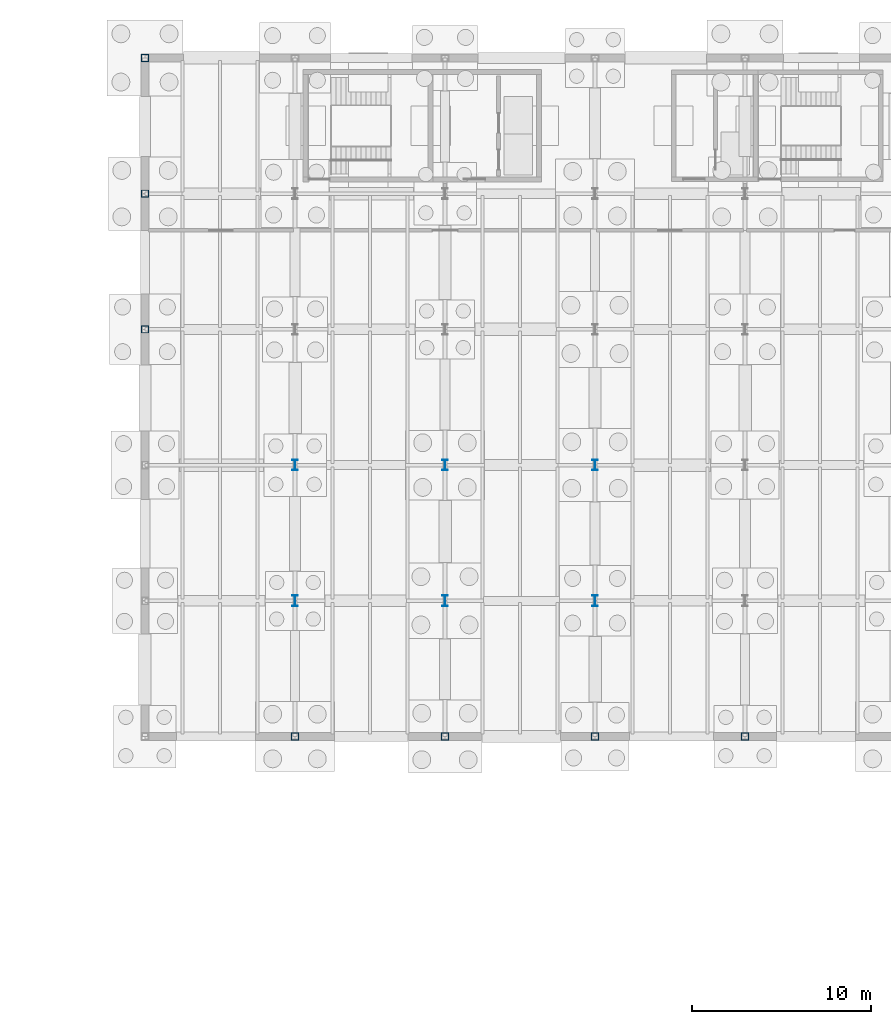
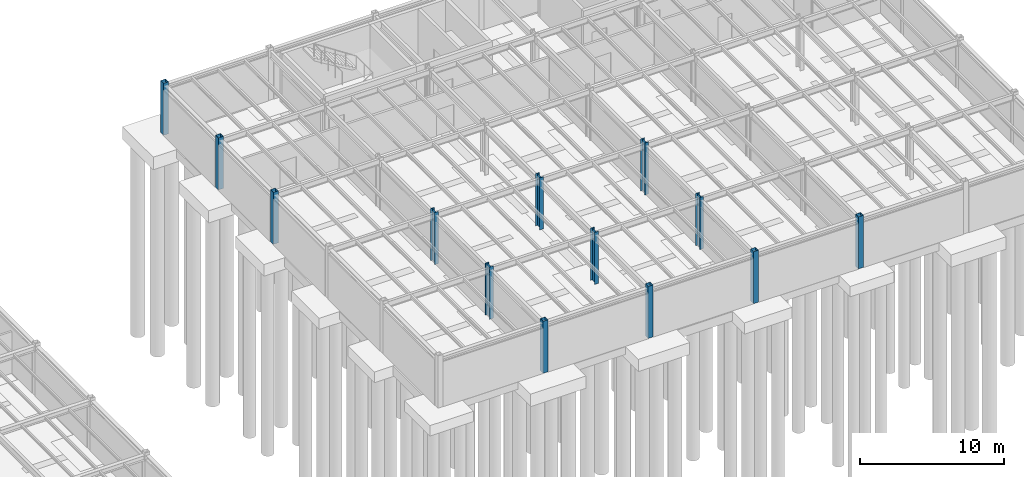
# One storey, part 14 of 33: 13 columns.
"""IFC4 building model written with IfcOpenShell, lengths in metres."""

from ifc_helpers import new_model, si_unit, direction, frame, origin, origin_2d, place, context, subcontext, project, spatial, hollow_rectangle, i_section, extrude, material, material_profile, profile_set, type_object, element, save


model = new_model("IFC4")

# Units and contexts
model_context = context("Model", 3, precision=1e-05, world=origin(), true_north=direction((0.0, 1.0)))
body_context = subcontext(model_context, "Body", "Model", "MODEL_VIEW")
ifc_project = project(units=[si_unit("LENGTHUNIT", "METRE"), si_unit("AREAUNIT", "SQUARE_METRE"), si_unit("VOLUMEUNIT", "CUBIC_METRE"), si_unit("PLANEANGLEUNIT", "RADIAN"), si_unit("MASSUNIT", "GRAM", prefix="KILO")], contexts=[model_context])

# Site, building, storey
site_placement = place(None, origin())
site = spatial("IfcSite", under=ifc_project, at=site_placement, CompositionType="ELEMENT")
building_placement = place(site_placement, origin())
building = spatial("IfcBuilding", under=site, at=building_placement, Name="Montecoro Central Library", CompositionType="ELEMENT")
storey_placement = place(building_placement, frame((0.0, 0.0, -4.419921875)))
storey = spatial("IfcBuildingStorey", under=building, at=storey_placement, Name="B1", CompositionType="ELEMENT", Elevation=-4.419921875)

# Columns
ifc_material = material(Name="Steel S355J2", Category="steel")
ifc_material_profile_1 = material_profile(ifc_material, i_section(OverallWidth=0.300048828125, OverallDepth=0.60009765625, WebThickness=0.015380859375, FlangeThickness=0.030029296875, at=origin_2d()), Name="HEB 600")
ifc_profile_set_1 = profile_set([ifc_material_profile_1], Name="Steel S355J2")
column_type_1 = type_object("IfcColumnType", Name="COL-HEB600", PredefinedType="COLUMN", material=ifc_profile_set_1)
for number, where, z_axis, x_axis, name in (
    (1, (74.800048828125, 88.60009765625, 0.0), (0.0, 0.0, 1.0), (1.0, 0.0, 0.0), "V2-B1-COL-10-M"),
    (2, (74.800048828125, 96.199951171875, 0.0), (0.0, 0.0, 1.0), (1.0, 0.0, 0.0), "V2-B1-COL-10-N"),
    (3, (83.199951171875, 88.60009765625, 0.0), (0.0, 0.0, 1.0), (1.0, 0.0, 0.0), "V2-B1-COL-11-M"),
    (4, (83.199951171875, 96.199951171875, 0.0), (0.0, 0.0, 1.0), (1.0, 0.0, 0.0), "V2-B1-COL-11-N"),
    (5, (91.60009765625, 88.60009765625, 0.0), (0.0, 0.0, 1.0), (1.0, 0.0, 0.0), "V2-B1-COL-12-M"),
    (6, (91.60009765625, 96.199951171875, 0.0), (0.0, 0.0, 1.0), (1.0, 0.0, 0.0), "V2-B1-COL-12-N"),
):
    element("IfcColumn", number, at=place(storey_placement, frame(where, z_axis=z_axis, x_axis=x_axis)), inside=storey, type_object=column_type_1, Name=name, PredefinedType="COLUMN", context=body_context, shape_type="SweptSolid", body=[
        extrude(i_section(OverallWidth=0.300048828125, OverallDepth=0.60009765625, WebThickness=0.015380859375, FlangeThickness=0.030029296875, at=origin_2d()), origin(), (0.0, 0.0, 1.0), 4.39501953125),
    ])
ifc_material_profile_2 = material_profile(ifc_material, hollow_rectangle(XDim=0.39990234375, YDim=0.39990234375, WallThickness=0.01611328125, at=origin_2d()), Name="SHS 400x400x16.0")
ifc_profile_set_2 = profile_set([ifc_material_profile_2], Name="Steel S355J2")
column_type_2 = type_object("IfcColumnType", Name="COL-SHS400", PredefinedType="COLUMN", material=ifc_profile_set_2)
for number, where, z_axis, x_axis, name in (
    (7, (66.39990234375, 103.800048828125, 0.0), (0.0, 0.0, 1.0), (1.0, 0.0, 0.0), "V2-B1-COL-9-P"),
    (8, (66.39990234375, 111.39990234375, 0.0), (0.0, 0.0, 1.0), (1.0, 0.0, 0.0), "V2-B1-COL-9-Q"),
    (9, (66.39990234375, 119.0, 0.0), (0.0, 0.0, 1.0), (1.0, 0.0, 0.0), "V2-B1-COL-9-R"),
    (10, (74.800048828125, 81.0, 0.0), (0.0, 0.0, 1.0), (1.0, 0.0, 0.0), "V2-B1-COL-10-L"),
    (11, (83.199951171875, 81.0, 0.0), (0.0, 0.0, 1.0), (1.0, 0.0, 0.0), "V2-B1-COL-11-L"),
    (12, (91.60009765625, 81.0, 0.0), (0.0, 0.0, 1.0), (1.0, 0.0, 0.0), "V2-B1-COL-12-L"),
    (13, (100.0, 81.0, 0.0), (0.0, 0.0, 1.0), (1.0, 0.0, 0.0), "V2-B1-COL-13-L"),
):
    element("IfcColumn", number, at=place(storey_placement, frame(where, z_axis=z_axis, x_axis=x_axis)), inside=storey, type_object=column_type_2, Name=name, PredefinedType="COLUMN", context=body_context, shape_type="SweptSolid", body=[
        extrude(hollow_rectangle(XDim=0.39990234375, YDim=0.39990234375, WallThickness=0.01611328125, at=origin_2d()), origin(), (0.0, 0.0, 1.0), 4.39501953125),
    ])

save(model, "model.ifc")
